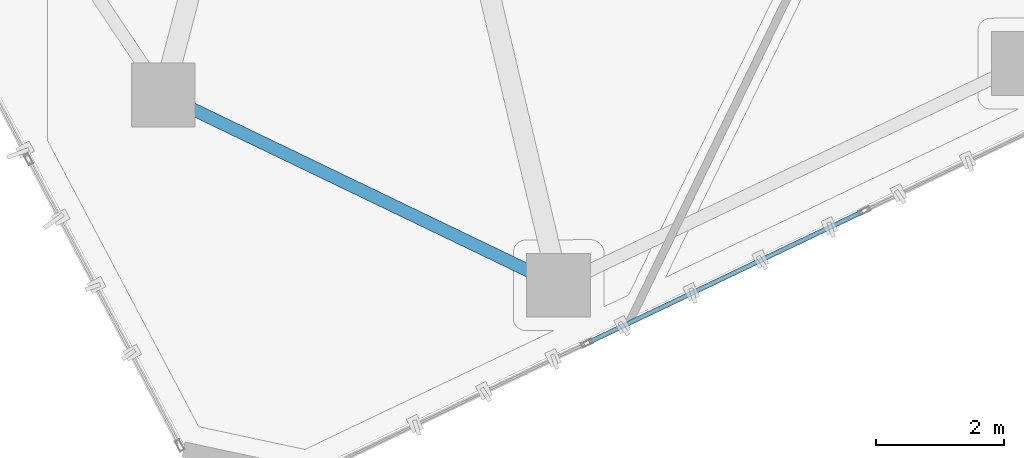
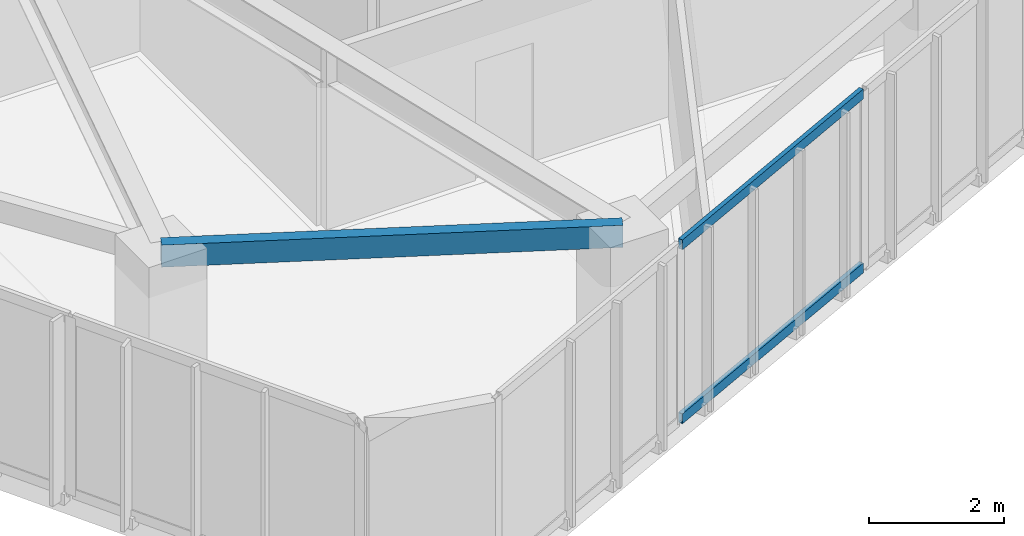
# One storey, part 3 of 18: 2 members, 1 beam, 1 element without a shape of its own.
"""IFC4 building model written with IfcOpenShell, lengths in metres."""

from ifc_helpers import new_model, si_unit, direction, frame, origin, origin_2d, place, context, subcontext, project, spatial, hollow_rectangle, extrude, source, transform, mapped, material, layer, layer_set, material_profile, profile_set, type_object, type_shapes, element, aggregate, save


model = new_model("IFC4")

# Units and contexts
model_context = context("Model", 3, precision=1e-05, world=origin(), true_north=direction((0.0, 1.0)))
body_context = subcontext(model_context, "Body", "Model", "MODEL_VIEW")
ifc_project = project(units=[si_unit("LENGTHUNIT", "METRE"), si_unit("AREAUNIT", "SQUARE_METRE"), si_unit("VOLUMEUNIT", "CUBIC_METRE"), si_unit("PLANEANGLEUNIT", "RADIAN"), si_unit("MASSUNIT", "GRAM", prefix="KILO")], contexts=[model_context])

# Site, building, storey
site_placement = place(None, origin())
site = spatial("IfcSite", under=ifc_project, at=site_placement, CompositionType="ELEMENT")
building_placement = place(site_placement, origin())
building = spatial("IfcBuilding", under=site, at=building_placement, Name="Talar Marvaseh", CompositionType="ELEMENT")
storey_placement = place(building_placement, frame((0.0, 0.0, 167.0)))
storey = spatial("IfcBuildingStorey", under=building, at=storey_placement, Name="L43", CompositionType="ELEMENT", Elevation=167.0)

# Beam
ifc_material_1 = material(Name="Steel S355", Category="steel")
ifc_material_profile_1 = material_profile(ifc_material_1, hollow_rectangle(XDim=0.199951171875, YDim=0.39990234375, WallThickness=0.013916015625, at=origin_2d()), Name="RHS400x200x14")
ifc_profile_set_1 = profile_set([ifc_material_profile_1], Name="Steel S355")
beam_type = type_object("IfcBeamType", Name="Zone 3 Perimeter Spandrel Beam RHS400x200x14", PredefinedType="SPANDREL", material=ifc_profile_set_1)
beam_placement = place(storey_placement, frame((22.014892578125, 11.51904296875, 3.030029296875), z_axis=(-0.901071562993, 0.433670425975, 0.0), x_axis=(-0.433670425975, -0.901071562993, 0.0)))
element("IfcBeam", 1, at=beam_placement, inside=storey, type_object=beam_type, Name="L43 Zone 3 Perimeter Spandrel Beam RHS400x200x14", PredefinedType="SPANDREL", context=body_context, shape_type="SweptSolid", body=[
    extrude(hollow_rectangle(XDim=0.199951171875, YDim=0.39990234375, WallThickness=0.013916015625, at=origin_2d()), origin(), (0.0, 0.0, 1.0), 6.8759765625),
])

# Curtain wall, members
ifc_material_2 = material(Name="Architectural Aluminium", Category="aluminium")
ifc_layer = layer(ifc_material_2, 0.18994140625)
ifc_layer_set = layer_set([ifc_layer], Name="Architectural Aluminium")
curtain_wall_type = type_object("IfcCurtainWallType", Name="Unitised Solar Atelier Curtain Wall Z3", PredefinedType="NOTDEFINED", material=ifc_layer_set)
curtain_wall_placement = place(storey_placement, origin())
curtain_wall = element("IfcCurtainWall", 2, at=curtain_wall_placement, inside=storey, type_object=curtain_wall_type, Name="L43 Unitised Solar Atelier Curtain Wall Z3", PredefinedType="NOTDEFINED")
ifc_material_profile_2 = material_profile(ifc_material_2, hollow_rectangle(XDim=0.074951171875, YDim=0.179931640625, WallThickness=0.0048828125, at=origin_2d()), Name="RHS180x75x5")
ifc_profile_set_2 = profile_set([ifc_material_profile_2], Name="Architectural Aluminium")
member_type = type_object("IfcMemberType", Name="Unitised Curtain Wall Transom RHS180x75x5", PredefinedType="USERDEFINED", material=ifc_profile_set_2)
shared_shape = source(origin(), body_context, "Body", "SweptSolid", [
    extrude(hollow_rectangle(XDim=0.074951171875, YDim=0.179931640625, WallThickness=0.0048828125, at=origin_2d()), origin(), (0.0, 0.0, 1.0), 4.7470703125),
])
type_shapes(member_type, [shared_shape])
member_1_placement = place(storey_placement, frame((26.777099609375, 12.672119140625, 0.03759765625), z_axis=(-0.902504663791, -0.430680080612, 0.0), x_axis=(0.430680080612, -0.902504663791, 0.0)))
member_1 = element("IfcMember", 3, at=member_1_placement, type_object=member_type, Name="CW-Z3 transom 3.1", ObjectType="TRANSOM", PredefinedType="USERDEFINED", context=body_context, shape_type="MappedRepresentation", body=[
    mapped(shared_shape, transform((0.0, 0.0, 0.0), x_axis=(1.0, 0.0, 0.0), y_axis=(0.0, 1.0, 0.0), z_axis=(0.0, 0.0, 1.0), scale=1.0)),
])
member_2_placement = place(storey_placement, frame((26.777099609375, 12.672119140625, 3.1923828125), z_axis=(-0.902504663791, -0.430680080612, 0.0), x_axis=(0.430680080612, -0.902504663791, 0.0)))
member_2 = element("IfcMember", 4, at=member_2_placement, type_object=member_type, Name="CW-Z3 transom 3.2", ObjectType="TRANSOM", PredefinedType="USERDEFINED", context=body_context, shape_type="MappedRepresentation", body=[
    mapped(shared_shape, transform((0.0, 0.0, 0.0), x_axis=(1.0, 0.0, 0.0), y_axis=(0.0, 1.0, 0.0), z_axis=(0.0, 0.0, 1.0), scale=1.0)),
])
aggregate(curtain_wall, [member_1, member_2])

save(model, "model.ifc")
